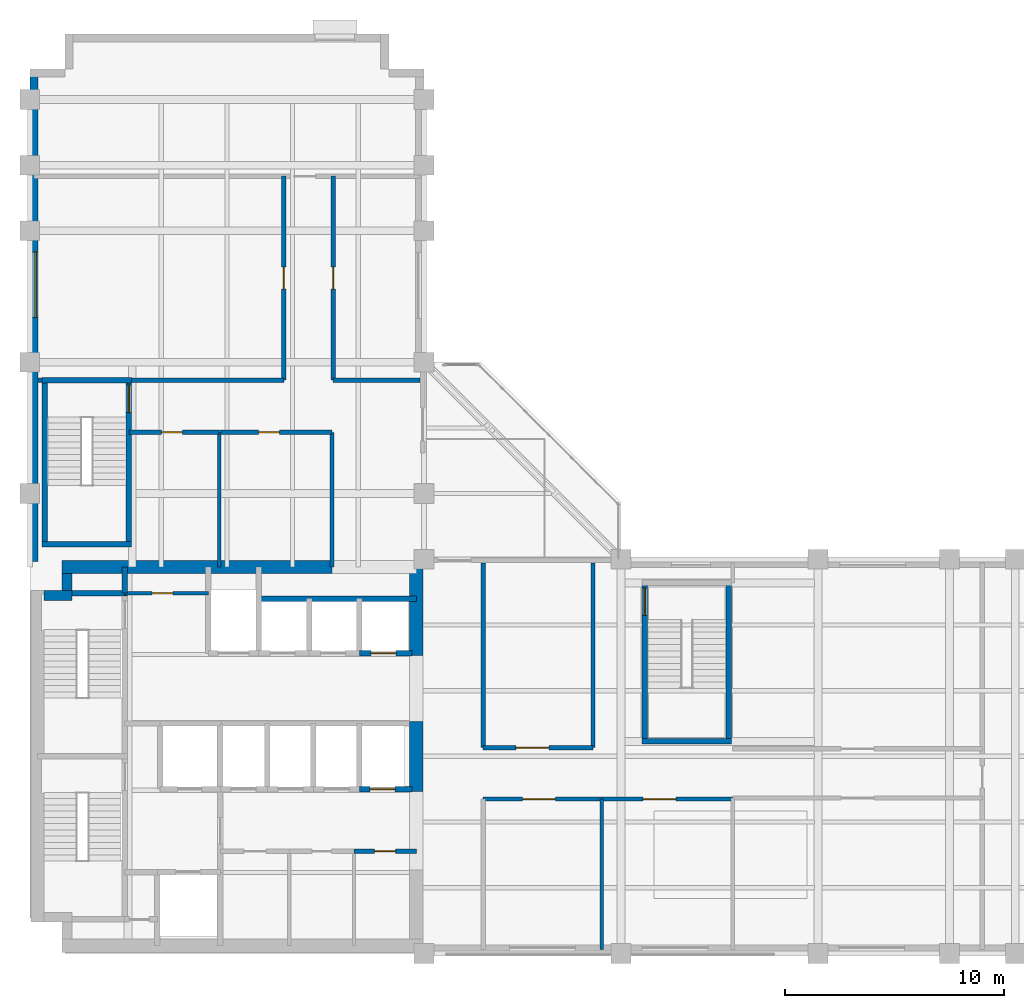
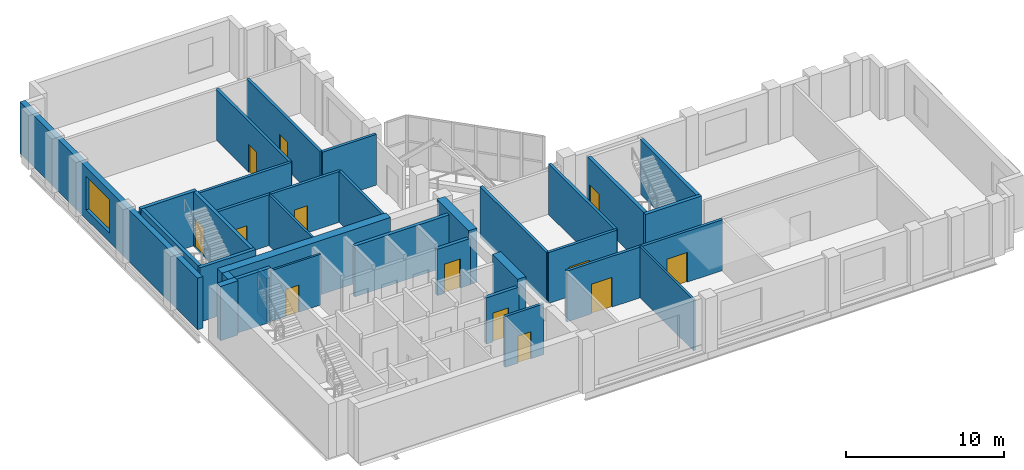
# One storey, part 6 of 9: 34 walls, 13 doors, 1 window, 14 openings.
"""IFC4 building model written with IfcOpenShell, lengths in metres."""

from ifc_helpers import new_model, si_unit, direction, frame, frame_2d, origin, place, context, subcontext, project, spatial, rectangle, extrude, material, layer, layer_set, type_object, element, fill, save


model = new_model("IFC4")

# Units and contexts
model_context = context("Model", 3, precision=1e-05, world=origin(), true_north=direction((0.0, 1.0)))
body_context = subcontext(model_context, "Body", "Model", "MODEL_VIEW")
ifc_project = project(units=[si_unit("LENGTHUNIT", "METRE"), si_unit("AREAUNIT", "SQUARE_METRE"), si_unit("VOLUMEUNIT", "CUBIC_METRE"), si_unit("PLANEANGLEUNIT", "RADIAN"), si_unit("MASSUNIT", "GRAM", prefix="KILO")], contexts=[model_context])

# Site, building, storey
site_placement = place(None, origin())
site = spatial("IfcSite", under=ifc_project, at=site_placement, CompositionType="ELEMENT")
building_placement = place(site_placement, origin())
building = spatial("IfcBuilding", under=site, at=building_placement, Name="Mawjdan Bourse Tower", CompositionType="ELEMENT")
storey_placement = place(building_placement, frame((0.0, 0.0, 160.199951171875)))
storey = spatial("IfcBuildingStorey", under=building, at=storey_placement, Name="L38", CompositionType="ELEMENT", Elevation=160.199951171875)

# Wall, opening, window
ifc_material_1 = material(Name="Brick Masonry Terracotta Red", Category="masonry")
ifc_layer_1 = layer(ifc_material_1, 0.3798828125)
ifc_layer_set_1 = layer_set([ifc_layer_1], Name="Brick Masonry Terracotta Red")
wall_type_1 = type_object("IfcWallType", Name="WL-BRK-RED-380", PredefinedType="STANDARD", material=ifc_layer_set_1)
wall_1_placement = place(storey_placement, frame((6.18994140625, 43.39990234375, 0.0), z_axis=(0.0, 0.0, 1.0), x_axis=(0.0, -1.0, 0.0)))
wall_1 = element("IfcWall", 1, at=wall_1_placement, inside=storey, type_object=wall_type_1, Name="L38 Exterior Brick Wall 14", PredefinedType="STANDARD", context=body_context, shape_type="SweptSolid", body=[
    extrude(rectangle(XDim=22.5, YDim=0.3798828125, at=frame_2d((11.25, 0.0))), origin(), (0.0, 0.0, 1.0), 4.0),
])
opening_1_placement = place(wall_1_placement, frame((8.3544921875, 0.0, 0.699951171875)))
opening_1 = element("IfcOpeningElement", 2, at=opening_1_placement, cuts=wall_1, Name="Opening W-L38-09", PredefinedType="OPENING", context=body_context, shape_type="SweptSolid", body=[
    extrude(rectangle(XDim=3.0, YDim=2.60009765625, at=frame_2d((1.5, 1.300048828125))), frame((0.0, 0.199951171875, 0.0), z_axis=(0.0, -1.0, 0.0), x_axis=(1.0, 0.0, 0.0)), (0.0, 0.0, 1.0), 0.39990234375),
])
ifc_material_2 = material(Name="Solar-Control Clear Double Glazing", Category="glass")
window_type = type_object("IfcWindowType", Name="WN-SKY-3000", PartitioningType="SINGLE_PANEL", PredefinedType="WINDOW", material=ifc_material_2)
window_placement = place(opening_1_placement, origin())
window = element("IfcWindow", 3, at=window_placement, inside=storey, type_object=window_type, Name="L38 Deep-Set Masonry Window W-L38-09", OverallHeight=2.60009765625, OverallWidth=3.0, PartitioningType="SINGLE_PANEL", PredefinedType="WINDOW", context=body_context, shape_type="SweptSolid", body=[
    extrude(rectangle(XDim=3.0, YDim=2.60009765625, at=frame_2d((1.5, 1.300048828125))), frame((0.0, 0.110107421875, 0.0), z_axis=(0.0, -1.0, 0.0), x_axis=(1.0, 0.0, 0.0)), (0.0, 0.0, 1.0), 0.06005859375),
])
fill(opening_1, window)

# Wall, opening, door
ifc_material_3 = material(Name="Gypsum Fireboard Assembly")
ifc_layer_2 = layer(ifc_material_3, 0.199951171875)
ifc_layer_set_2 = layer_set([ifc_layer_2], Name="Gypsum Fireboard Assembly")
wall_type_2 = type_object("IfcWallType", Name="WL-CMP-200", PredefinedType="PARTITIONING", material=ifc_layer_set_2)
wall_2_placement = place(storey_placement, frame((20.800048828125, 7.659912109375, 0.0), z_axis=(0.0, 0.0, 1.0), x_axis=(1.0, 0.0, 0.0)))
wall_2 = element("IfcWall", 4, at=wall_2_placement, inside=storey, type_object=wall_type_2, Name="L38 Staff Beverage Pantry North Wall", PredefinedType="PARTITIONING", context=body_context, shape_type="SweptSolid", body=[
    extrude(rectangle(XDim=2.849853515625, YDim=0.199951171875, at=frame_2d((1.4248046875, 0.0))), origin(), (0.0, 0.0, 1.0), 3.929931640625),
])
opening_2_placement = place(wall_2_placement, frame((0.949951171875, 0.0, 0.0)))
opening_2 = element("IfcOpeningElement", 5, at=opening_2_placement, cuts=wall_2, Name="Opening D-L38-15", PredefinedType="OPENING", context=body_context, shape_type="SweptSolid", body=[
    extrude(rectangle(XDim=0.949951171875, YDim=2.10009765625, at=frame_2d((0.47509765625, 1.050048828125))), frame((0.0, 0.10986328125, 0.0), z_axis=(0.0, -1.0, 0.0), x_axis=(1.0, 0.0, 0.0)), (0.0, 0.0, 1.0), 0.219970703125),
])
ifc_material_4 = material(Name="Moisture-Resistant Laminate Timber", Category="wood")
door_type_1 = type_object("IfcDoorType", Name="DR-WET-0950", OperationType="NOTDEFINED", PredefinedType="DOOR", material=ifc_material_4)
door_1_placement = place(opening_2_placement, origin())
door_1 = element("IfcDoor", 6, at=door_1_placement, inside=storey, type_object=door_type_1, Name="L38 Staff Beverage Pantry Door D-L38-15", OperationType="SINGLE_SWING_LEFT", OverallHeight=2.10009765625, OverallWidth=0.949951171875, PredefinedType="DOOR", context=body_context, shape_type="SweptSolid", body=[
    extrude(rectangle(XDim=0.949951171875, YDim=2.10009765625, at=frame_2d((0.47509765625, 1.050048828125))), frame((0.0, 0.02490234375, 0.0), z_axis=(0.0, -1.0, 0.0), x_axis=(1.0, 0.0, 0.0)), (0.0, 0.0, 1.0), 0.050048828125),
])
fill(opening_2, door_1)

wall_3_placement = place(storey_placement, frame((26.699951171875, 12.39990234375, 0.0), z_axis=(0.0, 0.0, 1.0), x_axis=(1.0, 0.0, 0.0)))
wall_3 = element("IfcWall", 7, at=wall_3_placement, inside=storey, type_object=wall_type_2, Name="L38 NW Salon South Corridor Wall", PredefinedType="PARTITIONING", context=body_context, shape_type="SweptSolid", body=[
    extrude(rectangle(XDim=5.02001953125, YDim=0.199951171875, at=frame_2d((2.510009765625, 0.0))), origin(), (0.0, 0.0, 1.0), 3.929931640625),
])
opening_3_placement = place(wall_3_placement, frame((1.5, 0.0, 0.0)))
opening_3 = element("IfcOpeningElement", 8, at=opening_3_placement, cuts=wall_3, Name="Opening D-L38-25", PredefinedType="OPENING", context=body_context, shape_type="SweptSolid", body=[
    extrude(rectangle(XDim=1.5, YDim=2.300048828125, at=frame_2d((0.75, 1.14990234375))), frame((0.0, 0.10986328125, 0.0), z_axis=(0.0, -1.0, 0.0), x_axis=(1.0, 0.0, 0.0)), (0.0, 0.0, 1.0), 0.219970703125),
])
ifc_material_5 = material(Name="Acoustic Glazed Timber", Category="wood")
door_type_2 = type_object("IfcDoorType", Name="DR-CNF-1500", OperationType="DOUBLE_DOOR_SINGLE_SWING", PredefinedType="DOOR", material=ifc_material_5)
door_2_placement = place(opening_3_placement, origin())
door_2 = element("IfcDoor", 9, at=door_2_placement, inside=storey, type_object=door_type_2, Name="L38 North-West Salon Corridor Door D-L38-25", OperationType="DOUBLE_DOOR_SINGLE_SWING", OverallHeight=2.300048828125, OverallWidth=1.5, PredefinedType="DOOR", context=body_context, shape_type="SweptSolid", body=[
    extrude(rectangle(XDim=1.5, YDim=2.300048828125, at=frame_2d((0.75, 1.14990234375))), frame((0.0, 0.02490234375, 0.0), z_axis=(0.0, -1.0, 0.0), x_axis=(1.0, 0.0, 0.0)), (0.0, 0.0, 1.0), 0.050048828125),
])
fill(opening_3, door_2)

# Walls
for number, where, z_axis, x_axis, name in (
    (10, (26.699951171875, 12.39990234375, 0.0), (0.0, 0.0, 1.0), (0.0, 1.0, 0.0), "L38 NW Salon West Vestibule Wall"),
    (11, (31.719970703125, 12.39990234375, 0.0), (0.0, 0.0, 1.0), (0.0, 1.0, 0.0), "L38 NW Salon East ST5B Corridor Wall"),
):
    element("IfcWall", number, at=place(storey_placement, frame(where, z_axis=z_axis, x_axis=x_axis)), inside=storey, type_object=wall_type_2, Name=name, PredefinedType="PARTITIONING", context=body_context, shape_type="SweptSolid", body=[
        extrude(rectangle(XDim=8.420166015625, YDim=0.199951171875, at=frame_2d((4.2099609375, 0.0))), origin(), (0.0, 0.0, 1.0), 3.929931640625),
    ])

# Wall, openings, doors
wall_4_placement = place(storey_placement, frame((26.699951171875, 10.050048828125, 0.0), z_axis=(0.0, 0.0, 1.0), x_axis=(1.0, 0.0, 0.0)))
wall_4 = element("IfcWall", 12, at=wall_4_placement, inside=storey, type_object=wall_type_2, Name="L38 Sky Lobby South Band Corridor Wall", PredefinedType="PARTITIONING", context=body_context, shape_type="SweptSolid", body=[
    extrude(rectangle(XDim=11.400146484375, YDim=0.199951171875, at=frame_2d((5.7001953125, 0.0))), origin(), (0.0, 0.0, 1.0), 3.929931640625),
])
opening_4_placement = place(wall_4_placement, frame((1.800048828125, 0.0, 0.0)))
opening_4 = element("IfcOpeningElement", 13, at=opening_4_placement, cuts=wall_4, Name="Opening D-L38-26", PredefinedType="OPENING", context=body_context, shape_type="SweptSolid", body=[
    extrude(rectangle(XDim=1.5, YDim=2.300048828125, at=frame_2d((0.75, 1.14990234375))), frame((0.0, 0.10986328125, 0.0), z_axis=(0.0, -1.0, 0.0), x_axis=(1.0, 0.0, 0.0)), (0.0, 0.0, 1.0), 0.219970703125),
])
opening_5_placement = place(wall_4_placement, frame((7.300048828125, 0.0, 0.0)))
opening_5 = element("IfcOpeningElement", 14, at=opening_5_placement, cuts=wall_4, Name="Opening D-L38-27", PredefinedType="OPENING", context=body_context, shape_type="SweptSolid", body=[
    extrude(rectangle(XDim=1.5, YDim=2.300048828125, at=frame_2d((0.75, 1.14990234375))), frame((0.0, 0.10986328125, 0.0), z_axis=(0.0, -1.0, 0.0), x_axis=(1.0, 0.0, 0.0)), (0.0, 0.0, 1.0), 0.219970703125),
])
door_3_placement = place(opening_4_placement, origin())
door_3 = element("IfcDoor", 15, at=door_3_placement, inside=storey, type_object=door_type_2, Name="L38 Sky Lobby Corridor Door D-L38-26", OperationType="DOUBLE_DOOR_SINGLE_SWING", OverallHeight=2.300048828125, OverallWidth=1.5, PredefinedType="DOOR", context=body_context, shape_type="SweptSolid", body=[
    extrude(rectangle(XDim=1.5, YDim=2.300048828125, at=frame_2d((0.75, 1.14990234375))), frame((0.0, 0.02490234375, 0.0), z_axis=(0.0, -1.0, 0.0), x_axis=(1.0, 0.0, 0.0)), (0.0, 0.0, 1.0), 0.050048828125),
])
fill(opening_4, door_3)
door_4_placement = place(opening_5_placement, origin())
door_4 = element("IfcDoor", 16, at=door_4_placement, inside=storey, type_object=door_type_2, Name="L38 Sovereign Lounge Corridor Door D-L38-27", OperationType="DOUBLE_DOOR_SINGLE_SWING", OverallHeight=2.300048828125, OverallWidth=1.5, PredefinedType="DOOR", context=body_context, shape_type="SweptSolid", body=[
    extrude(rectangle(XDim=1.5, YDim=2.300048828125, at=frame_2d((0.75, 1.14990234375))), frame((0.0, 0.02490234375, 0.0), z_axis=(0.0, -1.0, 0.0), x_axis=(1.0, 0.0, 0.0)), (0.0, 0.0, 1.0), 0.050048828125),
])
fill(opening_5, door_4)

# Wall, opening, door
wall_5_placement = place(storey_placement, frame((10.52001953125, 26.800048828125, 0.0), z_axis=(0.0, 0.0, 1.0), x_axis=(1.0, 0.0, 0.0)))
wall_5 = element("IfcWall", 17, at=wall_5_placement, inside=storey, type_object=wall_type_2, Name="L38 Wing WC North Wall", PredefinedType="PARTITIONING", context=body_context, shape_type="SweptSolid", body=[
    extrude(rectangle(XDim=4.1298828125, YDim=0.199951171875, at=frame_2d((2.06494140625, 0.0))), origin(), (0.0, 0.0, 1.0), 3.929931640625),
])
opening_6_placement = place(wall_5_placement, frame((1.5, 0.0, 0.0)))
opening_6 = element("IfcOpeningElement", 18, at=opening_6_placement, cuts=wall_5, Name="Opening D-L38-31", PredefinedType="OPENING", context=body_context, shape_type="SweptSolid", body=[
    extrude(rectangle(XDim=0.949951171875, YDim=2.10009765625, at=frame_2d((0.47509765625, 1.050048828125))), frame((0.0, 0.10986328125, 0.0), z_axis=(0.0, -1.0, 0.0), x_axis=(1.0, 0.0, 0.0)), (0.0, 0.0, 1.0), 0.219970703125),
])
door_5_placement = place(opening_6_placement, origin())
door_5 = element("IfcDoor", 19, at=door_5_placement, inside=storey, type_object=door_type_1, Name="L38 Wing Accessible WC Door D-L38-31", OperationType="SINGLE_SWING_RIGHT", OverallHeight=2.10009765625, OverallWidth=0.949951171875, PredefinedType="DOOR", context=body_context, shape_type="SweptSolid", body=[
    extrude(rectangle(XDim=0.949951171875, YDim=2.10009765625, at=frame_2d((0.47509765625, 1.050048828125))), frame((0.0, 0.02490234375, 0.0), z_axis=(0.0, -1.0, 0.0), x_axis=(1.0, 0.0, 0.0)), (0.0, 0.0, 1.0), 0.050048828125),
])
fill(opening_6, door_5)

wall_6_placement = place(storey_placement, frame((14.64990234375, 26.800048828125, 0.0), z_axis=(0.0, 0.0, 1.0), x_axis=(1.0, 0.0, 0.0)))
wall_6 = element("IfcWall", 20, at=wall_6_placement, inside=storey, type_object=wall_type_2, Name="L38 Wing Restroom North Wall", PredefinedType="PARTITIONING", context=body_context, shape_type="SweptSolid", body=[
    extrude(rectangle(XDim=5.150146484375, YDim=0.199951171875, at=frame_2d((2.5751953125, 0.0))), origin(), (0.0, 0.0, 1.0), 3.929931640625),
])
opening_7_placement = place(wall_6_placement, frame((1.800048828125, 0.0, 0.0)))
opening_7 = element("IfcOpeningElement", 21, at=opening_7_placement, cuts=wall_6, Name="Opening D-L38-32", PredefinedType="OPENING", context=body_context, shape_type="SweptSolid", body=[
    extrude(rectangle(XDim=0.949951171875, YDim=2.10009765625, at=frame_2d((0.47509765625, 1.050048828125))), frame((0.0, 0.10986328125, 0.0), z_axis=(0.0, -1.0, 0.0), x_axis=(1.0, 0.0, 0.0)), (0.0, 0.0, 1.0), 0.219970703125),
])
door_6_placement = place(opening_7_placement, origin())
door_6 = element("IfcDoor", 22, at=door_6_placement, inside=storey, type_object=door_type_1, Name="L38 Wing Restroom Door D-L38-32", OperationType="SINGLE_SWING_LEFT", OverallHeight=2.10009765625, OverallWidth=0.949951171875, PredefinedType="DOOR", context=body_context, shape_type="SweptSolid", body=[
    extrude(rectangle(XDim=0.949951171875, YDim=2.10009765625, at=frame_2d((0.47509765625, 1.050048828125))), frame((0.0, 0.02490234375, 0.0), z_axis=(0.0, -1.0, 0.0), x_axis=(1.0, 0.0, 0.0)), (0.0, 0.0, 1.0), 0.050048828125),
])
fill(opening_7, door_6)

# Walls
wall_7_placement = place(storey_placement, frame((19.800048828125, 20.64990234375, 0.0), z_axis=(0.0, 0.0, 1.0), x_axis=(0.0, 1.0, 0.0)))
element("IfcWall", 23, at=wall_7_placement, inside=storey, type_object=wall_type_2, Name="L38 Wing Restroom East Wall", PredefinedType="PARTITIONING", context=body_context, shape_type="SweptSolid", body=[
    extrude(rectangle(XDim=6.150146484375, YDim=0.199951171875, at=frame_2d((3.0751953125, 0.0))), origin(), (0.0, 0.0, 1.0), 3.929931640625),
])
wall_8_placement = place(storey_placement, frame((6.3798828125, 29.179931640625, 0.0), z_axis=(0.0, 0.0, 1.0), x_axis=(1.0, 0.0, 0.0)))
element("IfcWall", 24, at=wall_8_placement, inside=storey, type_object=wall_type_2, Name="L38 North West Band ST3 West Return", PredefinedType="PARTITIONING", context=body_context, shape_type="SweptSolid", body=[
    extrude(rectangle(XDim=0.175048828125, YDim=0.199951171875, at=frame_2d((0.08740234375, 0.0))), origin(), (0.0, 0.0, 1.0), 3.929931640625),
])
wall_9_placement = place(storey_placement, frame((10.6298828125, 29.179931640625, 0.0), z_axis=(0.0, 0.0, 1.0), x_axis=(1.0, 0.0, 0.0)))
element("IfcWall", 25, at=wall_9_placement, inside=storey, type_object=wall_type_2, Name="L38 North West Band South Wall", PredefinedType="PARTITIONING", context=body_context, shape_type="SweptSolid", body=[
    extrude(rectangle(XDim=6.97021484375, YDim=0.199951171875, at=frame_2d((3.485107421875, 0.0))), origin(), (0.0, 0.0, 1.0), 3.929931640625),
])
wall_10_placement = place(storey_placement, frame((19.85009765625, 29.179931640625, 0.0), z_axis=(0.0, 0.0, 1.0), x_axis=(1.0, 0.0, 0.0)))
element("IfcWall", 26, at=wall_10_placement, inside=storey, type_object=wall_type_2, Name="L38 North East Band South Wall", PredefinedType="PARTITIONING", context=body_context, shape_type="SweptSolid", body=[
    extrude(rectangle(XDim=3.969970703125, YDim=0.199951171875, at=frame_2d((1.98486328125, 0.0))), origin(), (0.0, 0.0, 1.0), 3.929931640625),
])

# Wall, opening, door
wall_11_placement = place(storey_placement, frame((17.60009765625, 29.179931640625, 0.0), z_axis=(0.0, 0.0, 1.0), x_axis=(0.0, 1.0, 0.0)))
wall_11 = element("IfcWall", 27, at=wall_11_placement, inside=storey, type_object=wall_type_2, Name="L38 Institutional Reception Salon Corridor Wall", PredefinedType="PARTITIONING", context=body_context, shape_type="SweptSolid", body=[
    extrude(rectangle(XDim=9.320068359375, YDim=0.199951171875, at=frame_2d((4.66015625, 0.0))), origin(), (0.0, 0.0, 1.0), 3.929931640625),
])
opening_8_placement = place(wall_11_placement, frame((4.159912109375, 0.0, 0.0)))
opening_8 = element("IfcOpeningElement", 28, at=opening_8_placement, cuts=wall_11, Name="Opening D-L38-33", PredefinedType="OPENING", context=body_context, shape_type="SweptSolid", body=[
    extrude(rectangle(XDim=1.0, YDim=2.14990234375, at=frame_2d((0.5, 1.074951171875))), frame((0.0, 0.10986328125, 0.0), z_axis=(0.0, -1.0, 0.0), x_axis=(1.0, 0.0, 0.0)), (0.0, 0.0, 1.0), 0.219970703125),
])
ifc_material_6 = material(Name="Hardwood Acoustic Leaf", Category="wood")
door_type_3 = type_object("IfcDoorType", Name="DR-OFC-1000", OperationType="NOTDEFINED", PredefinedType="DOOR", material=ifc_material_6)
door_7_placement = place(opening_8_placement, origin())
door_7 = element("IfcDoor", 29, at=door_7_placement, inside=storey, type_object=door_type_3, Name="L38 Institutional Reception Salon Door D-L38-33", OperationType="SINGLE_SWING_RIGHT", OverallHeight=2.14990234375, OverallWidth=1.0, PredefinedType="DOOR", context=body_context, shape_type="SweptSolid", body=[
    extrude(rectangle(XDim=1.0, YDim=2.14990234375, at=frame_2d((0.5, 1.074951171875))), frame((0.0, 0.02490234375, 0.0), z_axis=(0.0, -1.0, 0.0), x_axis=(1.0, 0.0, 0.0)), (0.0, 0.0, 1.0), 0.050048828125),
])
fill(opening_8, door_7)

wall_12_placement = place(storey_placement, frame((19.85009765625, 29.179931640625, 0.0), z_axis=(0.0, 0.0, 1.0), x_axis=(0.0, 1.0, 0.0)))
wall_12 = element("IfcWall", 30, at=wall_12_placement, inside=storey, type_object=wall_type_2, Name="L38 Executive Office Corridor Wall", PredefinedType="PARTITIONING", context=body_context, shape_type="SweptSolid", body=[
    extrude(rectangle(XDim=9.320068359375, YDim=0.199951171875, at=frame_2d((4.66015625, 0.0))), origin(), (0.0, 0.0, 1.0), 3.929931640625),
])
opening_9_placement = place(wall_12_placement, frame((4.159912109375, 0.0, 0.0)))
opening_9 = element("IfcOpeningElement", 31, at=opening_9_placement, cuts=wall_12, Name="Opening D-L38-34", PredefinedType="OPENING", context=body_context, shape_type="SweptSolid", body=[
    extrude(rectangle(XDim=1.0, YDim=2.14990234375, at=frame_2d((0.5, 1.074951171875))), frame((0.0, 0.10986328125, 0.0), z_axis=(0.0, -1.0, 0.0), x_axis=(1.0, 0.0, 0.0)), (0.0, 0.0, 1.0), 0.219970703125),
])
door_8_placement = place(opening_9_placement, origin())
door_8 = element("IfcDoor", 32, at=door_8_placement, inside=storey, type_object=door_type_3, Name="L38 Executive Office Door D-L38-34", OperationType="SINGLE_SWING_LEFT", OverallHeight=2.14990234375, OverallWidth=1.0, PredefinedType="DOOR", context=body_context, shape_type="SweptSolid", body=[
    extrude(rectangle(XDim=1.0, YDim=2.14990234375, at=frame_2d((0.5, 1.074951171875))), frame((0.0, 0.02490234375, 0.0), z_axis=(0.0, -1.0, 0.0), x_axis=(1.0, 0.0, 0.0)), (0.0, 0.0, 1.0), 0.050048828125),
])
fill(opening_9, door_8)

# Walls
ifc_material_7 = material(Name="Concrete C60/75", Category="concrete")
ifc_layer_3 = layer(ifc_material_7, 0.449951171875)
ifc_layer_set_3 = layer_set([ifc_layer_3], Name="Concrete C60/75")
wall_type_3 = type_object("IfcWallType", Name="WL-CORE-450", PredefinedType="SHEAR", material=ifc_layer_set_3)
wall_13_placement = place(storey_placement, frame((6.64990234375, 19.35009765625, 0.0), z_axis=(0.0, 0.0, 1.0), x_axis=(1.0, 0.0, 0.0)))
element("IfcWall", 33, at=wall_13_placement, inside=storey, type_object=wall_type_3, Name="L38 Rear Core Shear Wall NW-X", PredefinedType="SHEAR", context=body_context, shape_type="SweptSolid", body=[
    extrude(rectangle(XDim=1.275146484375, YDim=0.449951171875, at=frame_2d((0.6376953125, 0.0))), origin(), (0.0, 0.0, 1.0), 4.199951171875),
])
wall_14_placement = place(storey_placement, frame((7.699951171875, 19.574951171875, 0.0), z_axis=(0.0, 0.0, 1.0), x_axis=(0.0, 1.0, 0.0)))
element("IfcWall", 34, at=wall_14_placement, inside=storey, type_object=wall_type_3, Name="L38 Rear Core Shear Wall NW-Y", PredefinedType="SHEAR", context=body_context, shape_type="SweptSolid", body=[
    extrude(rectangle(XDim=0.775146484375, YDim=0.449951171875, at=frame_2d((0.3876953125, 0.0))), origin(), (0.0, 0.0, 1.0), 4.199951171875),
])
ifc_material_8 = material(Name="Concrete C70/85", Category="concrete")
ifc_layer_4 = layer(ifc_material_8, 0.60009765625)
ifc_layer_set_4 = layer_set([ifc_layer_4], Name="Concrete C70/85")
wall_type_4 = type_object("IfcWallType", Name="WL-CORE-600", PredefinedType="SHEAR", material=ifc_layer_set_4)
wall_15_placement = place(storey_placement, frame((7.47509765625, 20.64990234375, 0.0), z_axis=(0.0, 0.0, 1.0), x_axis=(1.0, 0.0, 0.0)))
element("IfcWall", 35, at=wall_15_placement, inside=storey, type_object=wall_type_4, Name="L38 Rear Core Shear Wall N", PredefinedType="SHEAR", context=body_context, shape_type="SweptSolid", body=[
    extrude(rectangle(XDim=12.324951171875, YDim=0.60009765625, at=frame_2d((6.16259765625, 0.0))), origin(), (0.0, 0.0, 1.0), 4.199951171875),
])
wall_16_placement = place(storey_placement, frame((23.64990234375, 10.39990234375, 0.0), z_axis=(0.0, 0.0, 1.0), x_axis=(0.0, 1.0, 0.0)))
element("IfcWall", 36, at=wall_16_placement, inside=storey, type_object=wall_type_4, Name="L38 Rear Core Shear Wall E2", PredefinedType="SHEAR", context=body_context, shape_type="SweptSolid", body=[
    extrude(rectangle(XDim=3.2001953125, YDim=0.60009765625, at=frame_2d((1.60009765625, 0.0))), origin(), (0.0, 0.0, 1.0), 4.199951171875),
])
wall_17_placement = place(storey_placement, frame((23.64990234375, 16.60009765625, 0.0), z_axis=(0.0, 0.0, 1.0), x_axis=(0.0, 1.0, 0.0)))
element("IfcWall", 37, at=wall_17_placement, inside=storey, type_object=wall_type_4, Name="L38 Rear Core Shear Wall E3", PredefinedType="SHEAR", context=body_context, shape_type="SweptSolid", body=[
    extrude(rectangle(XDim=4.0498046875, YDim=0.60009765625, at=frame_2d((2.02490234375, 0.0))), origin(), (0.0, 0.0, 1.0), 4.199951171875),
])

# Wall, opening, door
ifc_material_9 = material(Name="Gypsum Acoustic Partition")
ifc_layer_5 = layer(ifc_material_9, 0.14990234375)
ifc_layer_set_5 = layer_set([ifc_layer_5], Name="Gypsum Acoustic Partition")
wall_type_5 = type_object("IfcWallType", Name="WL-PRT-150", PredefinedType="PARTITIONING", material=ifc_layer_set_5)
wall_18_placement = place(storey_placement, frame((10.330078125, 19.449951171875, 0.0), z_axis=(0.0, 0.0, 1.0), x_axis=(1.0, 0.0, 0.0)))
wall_18 = element("IfcWall", 38, at=wall_18_placement, inside=storey, type_object=wall_type_5, Name="L38 Housekeeping South Wall", PredefinedType="PARTITIONING", context=body_context, shape_type="SweptSolid", body=[
    extrude(rectangle(XDim=3.81982421875, YDim=0.14990234375, at=frame_2d((1.909912109375, 0.0))), origin(), (0.0, 0.0, 1.0), 3.929931640625),
])
opening_10_placement = place(wall_18_placement, frame((1.25, 0.0, 0.0)))
opening_10 = element("IfcOpeningElement", 39, at=opening_10_placement, cuts=wall_18, Name="Opening D-L38-20", PredefinedType="OPENING", context=body_context, shape_type="SweptSolid", body=[
    extrude(rectangle(XDim=0.949951171875, YDim=2.10009765625, at=frame_2d((0.47509765625, 1.050048828125))), frame((0.0, 0.0849609375, 0.0), z_axis=(0.0, -1.0, 0.0), x_axis=(1.0, 0.0, 0.0)), (0.0, 0.0, 1.0), 0.169921875),
])
door_9_placement = place(opening_10_placement, origin())
door_9 = element("IfcDoor", 40, at=door_9_placement, inside=storey, type_object=door_type_1, Name="L38 Housekeeping Closet Door D-L38-20", OperationType="SINGLE_SWING_RIGHT", OverallHeight=2.10009765625, OverallWidth=0.949951171875, PredefinedType="DOOR", context=body_context, shape_type="SweptSolid", body=[
    extrude(rectangle(XDim=0.949951171875, YDim=2.10009765625, at=frame_2d((0.47509765625, 1.050048828125))), frame((0.0, 0.02490234375, 0.0), z_axis=(0.0, -1.0, 0.0), x_axis=(1.0, 0.0, 0.0)), (0.0, 0.0, 1.0), 0.050048828125),
])
fill(opening_10, door_9)

# Walls
wall_19_placement = place(storey_placement, frame((32.1201171875, 3.179931640625, 0.0), z_axis=(0.0, 0.0, 1.0), x_axis=(0.0, 1.0, 0.0)))
element("IfcWall", 41, at=wall_19_placement, inside=storey, type_object=wall_type_5, Name="L38 Sky Lobby / Lounge Split", PredefinedType="PARTITIONING", context=body_context, shape_type="SweptSolid", body=[
    extrude(rectangle(XDim=6.8701171875, YDim=0.14990234375, at=frame_2d((3.43505859375, 0.0))), origin(), (0.0, 0.0, 1.0), 3.929931640625),
])
wall_20_placement = place(storey_placement, frame((14.64990234375, 20.64990234375, 0.0), z_axis=(0.0, 0.0, 1.0), x_axis=(0.0, 1.0, 0.0)))
element("IfcWall", 42, at=wall_20_placement, inside=storey, type_object=wall_type_5, Name="L38 Wing WC Split Wall", PredefinedType="PARTITIONING", context=body_context, shape_type="SweptSolid", body=[
    extrude(rectangle(XDim=6.150146484375, YDim=0.14990234375, at=frame_2d((3.0751953125, 0.0))), origin(), (0.0, 0.0, 1.0), 3.929931640625),
])
ifc_material_10 = material(Name="Concrete C50/60", Category="concrete")
ifc_layer_6 = layer(ifc_material_10, 0.25)
ifc_layer_set_6 = layer_set([ifc_layer_6], Name="Concrete C50/60")
wall_type_6 = type_object("IfcWallType", Name="WL-SHFT-250", PredefinedType="PARTITIONING", material=ifc_layer_set_6)
wall_21_placement = place(storey_placement, frame((10.330078125, 19.449951171875, 0.0), z_axis=(0.0, 0.0, 1.0), x_axis=(0.0, 1.0, 0.0)))
element("IfcWall", 43, at=wall_21_placement, inside=storey, type_object=wall_type_6, Name="L38 NW Riser East Wall", PredefinedType="PARTITIONING", context=body_context, shape_type="SweptSolid", body=[
    extrude(rectangle(XDim=1.199951171875, YDim=0.25, at=frame_2d((0.60009765625, 0.0))), origin(), (0.0, 0.0, 1.0), 3.373046875),
])

# Wall, opening, door
wall_22_placement = place(storey_placement, frame((21.050048828125, 16.699951171875, 0.0), z_axis=(0.0, 0.0, 1.0), x_axis=(1.0, 0.0, 0.0)))
wall_22 = element("IfcWall", 44, at=wall_22_placement, inside=storey, type_object=wall_type_6, Name="L38 PH-03 Front Wall", PredefinedType="PARTITIONING", context=body_context, shape_type="SweptSolid", body=[
    extrude(rectangle(XDim=2.39990234375, YDim=0.25, at=frame_2d((1.199951171875, 0.0))), origin(), (0.0, 0.0, 1.0), 3.5830078125),
])
opening_11_placement = place(wall_22_placement, frame((0.52001953125, 0.0, 0.0)))
opening_11 = element("IfcOpeningElement", 45, at=opening_11_placement, cuts=wall_22, Name="Opening LD-L38-12", PredefinedType="OPENING", context=body_context, shape_type="SweptSolid", body=[
    extrude(rectangle(XDim=1.14990234375, YDim=2.25, at=frame_2d((0.574951171875, 1.125))), frame((0.0, 0.135009765625, 0.0), z_axis=(0.0, -1.0, 0.0), x_axis=(1.0, 0.0, 0.0)), (0.0, 0.0, 1.0), 0.27001953125),
])
ifc_material_11 = material(Name="Brushed Stainless Steel", Category="steel")
door_type_4 = type_object("IfcDoorType", Name="LD-PAS-1150", OperationType="DOUBLE_DOOR_SLIDING", PredefinedType="DOOR", material=ifc_material_11)
door_10_placement = place(opening_11_placement, origin())
door_10 = element("IfcDoor", 46, at=door_10_placement, inside=storey, type_object=door_type_4, Name="L38 Lift PH-03 Landing Door LD-L38-12", OperationType="DOUBLE_DOOR_SLIDING", OverallHeight=2.25, OverallWidth=1.14990234375, PredefinedType="DOOR", context=body_context, shape_type="SweptSolid", body=[
    extrude(rectangle(XDim=1.14990234375, YDim=2.25, at=frame_2d((0.574951171875, 1.125))), frame((0.0, 0.02490234375, 0.0), z_axis=(0.0, -1.0, 0.0), x_axis=(1.0, 0.0, 0.0)), (0.0, 0.0, 1.0), 0.050048828125),
])
fill(opening_11, door_10)

# Wall
wall_23_placement = place(storey_placement, frame((16.449951171875, 19.199951171875, 0.0), z_axis=(0.0, 0.0, 1.0), x_axis=(1.0, 0.0, 0.0)))
element("IfcWall", 47, at=wall_23_placement, inside=storey, type_object=wall_type_6, Name="L38 PH Bank North Shaft Back Wall", PredefinedType="PARTITIONING", context=body_context, shape_type="SweptSolid", body=[
    extrude(rectangle(XDim=7.199951171875, YDim=0.25, at=frame_2d((3.60009765625, 0.0))), origin(), (0.0, 0.0, 1.0), 3.929931640625),
])

# Wall, opening, door
wall_24_placement = place(storey_placement, frame((21.050048828125, 10.5, 0.0), z_axis=(0.0, 0.0, 1.0), x_axis=(1.0, 0.0, 0.0)))
wall_24 = element("IfcWall", 48, at=wall_24_placement, inside=storey, type_object=wall_type_6, Name="L38 PM-04 Front Wall", PredefinedType="PARTITIONING", context=body_context, shape_type="SweptSolid", body=[
    extrude(rectangle(XDim=2.39990234375, YDim=0.25, at=frame_2d((1.199951171875, 0.0))), origin(), (0.0, 0.0, 1.0), 3.5830078125),
])
opening_12_placement = place(wall_24_placement, frame((0.47998046875, 0.0, 0.0)))
opening_12 = element("IfcOpeningElement", 49, at=opening_12_placement, cuts=wall_24, Name="Opening LD-L38-19", PredefinedType="OPENING", context=body_context, shape_type="SweptSolid", body=[
    extrude(rectangle(XDim=1.14990234375, YDim=2.25, at=frame_2d((0.574951171875, 1.125))), frame((0.0, 0.135009765625, 0.0), z_axis=(0.0, -1.0, 0.0), x_axis=(1.0, 0.0, 0.0)), (0.0, 0.0, 1.0), 0.27001953125),
])
door_11_placement = place(opening_12_placement, origin())
door_11 = element("IfcDoor", 50, at=door_11_placement, inside=storey, type_object=door_type_4, Name="L38 Lift PM-04 Landing Door LD-L38-19", OperationType="DOUBLE_DOOR_SLIDING", OverallHeight=2.25, OverallWidth=1.14990234375, PredefinedType="DOOR", context=body_context, shape_type="SweptSolid", body=[
    extrude(rectangle(XDim=1.14990234375, YDim=2.25, at=frame_2d((0.574951171875, 1.125))), frame((0.0, 0.02490234375, 0.0), z_axis=(0.0, -1.0, 0.0), x_axis=(1.0, 0.0, 0.0)), (0.0, 0.0, 1.0), 0.050048828125),
])
fill(opening_12, door_11)

# Walls
ifc_layer_7 = layer(ifc_material_10, 0.25)
ifc_layer_set_7 = layer_set([ifc_layer_7], Name="Concrete C50/60")
wall_type_7 = type_object("IfcWallType", Name="WL-STRW-250", PredefinedType="SHEAR", material=ifc_layer_set_7)
wall_25_placement = place(storey_placement, frame((7.699951171875, 19.449951171875, 0.0), z_axis=(0.0, 0.0, 1.0), x_axis=(1.0, 0.0, 0.0)))
element("IfcWall", 51, at=wall_25_placement, inside=storey, type_object=wall_type_7, Name="L38 Stairwell ST2 North Shaft Wall", PredefinedType="SHEAR", context=body_context, shape_type="SweptSolid", body=[
    extrude(rectangle(XDim=2.755126953125, YDim=0.25, at=frame_2d((1.37744140625, 0.0))), origin(), (0.0, 0.0, 1.0), 4.199951171875),
])
wall_26_placement = place(storey_placement, frame((33.955078125, 12.679931640625, 0.0), z_axis=(0.0, 0.0, 1.0), x_axis=(1.0, 0.0, 0.0)))
element("IfcWall", 52, at=wall_26_placement, inside=storey, type_object=wall_type_7, Name="L38 ST5B South Shaft Wall", PredefinedType="SHEAR", context=body_context, shape_type="SweptSolid", body=[
    extrude(rectangle(XDim=4.08984375, YDim=0.25, at=frame_2d((2.044921875, 0.0))), origin(), (0.0, 0.0, 1.0), 4.199951171875),
])
wall_27_placement = place(storey_placement, frame((37.919921875, 12.679931640625, 0.0), z_axis=(0.0, 0.0, 1.0), x_axis=(0.0, 1.0, 0.0)))
element("IfcWall", 53, at=wall_27_placement, inside=storey, type_object=wall_type_7, Name="L38 ST5B East Shaft Wall", PredefinedType="SHEAR", context=body_context, shape_type="SweptSolid", body=[
    extrude(rectangle(XDim=7.239990234375, YDim=0.25, at=frame_2d((3.6201171875, 0.0))), origin(), (0.0, 0.0, 1.0), 4.199951171875),
])

# Wall, opening, door
wall_28_placement = place(storey_placement, frame((34.080078125, 12.679931640625, 0.0), z_axis=(0.0, 0.0, 1.0), x_axis=(0.0, 1.0, 0.0)))
wall_28 = element("IfcWall", 54, at=wall_28_placement, inside=storey, type_object=wall_type_7, Name="L38 ST5B West Shaft Wall", PredefinedType="SHEAR", context=body_context, shape_type="SweptSolid", body=[
    extrude(rectangle(XDim=7.239990234375, YDim=0.25, at=frame_2d((3.6201171875, 0.0))), origin(), (0.0, 0.0, 1.0), 4.199951171875),
])
opening_13_placement = place(wall_28_placement, frame((5.760009765625, 0.0, 0.0)))
opening_13 = element("IfcOpeningElement", 55, at=opening_13_placement, cuts=wall_28, Name="Opening SD-L38-21", PredefinedType="OPENING", context=body_context, shape_type="SweptSolid", body=[
    extrude(rectangle(XDim=1.25, YDim=2.199951171875, at=frame_2d((0.625, 1.10009765625))), frame((0.0, 0.135009765625, 0.0), z_axis=(0.0, -1.0, 0.0), x_axis=(1.0, 0.0, 0.0)), (0.0, 0.0, 1.0), 0.27001953125),
])
ifc_material_12 = material(Name="Fire-Rated Steel Leaf", Category="steel")
door_type_5 = type_object("IfcDoorType", Name="FD-ST-1250", OperationType="NOTDEFINED", PredefinedType="DOOR", material=ifc_material_12)
door_12_placement = place(opening_13_placement, origin())
door_12 = element("IfcDoor", 56, at=door_12_placement, inside=storey, type_object=door_type_5, Name="L38 Stair ST5B Fire Door SD-L38-21", OperationType="SINGLE_SWING_LEFT", OverallHeight=2.199951171875, OverallWidth=1.25, PredefinedType="DOOR", context=body_context, shape_type="SweptSolid", body=[
    extrude(rectangle(XDim=1.25, YDim=2.199951171875, at=frame_2d((0.625, 1.10009765625))), frame((0.0, 0.02490234375, 0.0), z_axis=(0.0, -1.0, 0.0), x_axis=(1.0, 0.0, 0.0)), (0.0, 0.0, 1.0), 0.050048828125),
])
fill(opening_13, door_12)

# Walls
for number, where, z_axis, x_axis, name in (
    (57, (6.554931640625, 21.679931640625, 0.0), (0.0, 0.0, 1.0), (1.0, 0.0, 0.0), "L38 ST3 South Shaft Wall"),
    (58, (6.554931640625, 29.179931640625, 0.0), (0.0, 0.0, 1.0), (1.0, 0.0, 0.0), "L38 ST3 North Shaft Wall"),
):
    element("IfcWall", number, at=place(storey_placement, frame(where, z_axis=z_axis, x_axis=x_axis)), inside=storey, type_object=wall_type_7, Name=name, PredefinedType="SHEAR", context=body_context, shape_type="SweptSolid", body=[
        extrude(rectangle(XDim=4.090087890625, YDim=0.25, at=frame_2d((2.044921875, 0.0))), origin(), (0.0, 0.0, 1.0), 4.199951171875),
    ])
wall_29_placement = place(storey_placement, frame((6.679931640625, 21.679931640625, 0.0), z_axis=(0.0, 0.0, 1.0), x_axis=(0.0, 1.0, 0.0)))
element("IfcWall", 59, at=wall_29_placement, inside=storey, type_object=wall_type_7, Name="L38 ST3 West Shaft Wall", PredefinedType="SHEAR", context=body_context, shape_type="SweptSolid", body=[
    extrude(rectangle(XDim=7.5, YDim=0.25, at=frame_2d((3.75, 0.0))), origin(), (0.0, 0.0, 1.0), 4.199951171875),
])

# Wall, opening, door
wall_30_placement = place(storey_placement, frame((10.52001953125, 21.679931640625, 0.0), z_axis=(0.0, 0.0, 1.0), x_axis=(0.0, 1.0, 0.0)))
wall_30 = element("IfcWall", 60, at=wall_30_placement, inside=storey, type_object=wall_type_7, Name="L38 ST3 East Shaft Wall", PredefinedType="SHEAR", context=body_context, shape_type="SweptSolid", body=[
    extrude(rectangle(XDim=7.5, YDim=0.25, at=frame_2d((3.75, 0.0))), origin(), (0.0, 0.0, 1.0), 4.199951171875),
])
opening_14_placement = place(wall_30_placement, frame((6.02001953125, 0.0, 0.0)))
opening_14 = element("IfcOpeningElement", 61, at=opening_14_placement, cuts=wall_30, Name="Opening SD-L38-22", PredefinedType="OPENING", context=body_context, shape_type="SweptSolid", body=[
    extrude(rectangle(XDim=1.25, YDim=2.199951171875, at=frame_2d((0.625, 1.10009765625))), frame((0.0, 0.135009765625, 0.0), z_axis=(0.0, -1.0, 0.0), x_axis=(1.0, 0.0, 0.0)), (0.0, 0.0, 1.0), 0.27001953125),
])
door_13_placement = place(opening_14_placement, origin())
door_13 = element("IfcDoor", 62, at=door_13_placement, inside=storey, type_object=door_type_5, Name="L38 Stair ST3 Fire Door SD-L38-22", OperationType="SINGLE_SWING_RIGHT", OverallHeight=2.199951171875, OverallWidth=1.25, PredefinedType="DOOR", context=body_context, shape_type="SweptSolid", body=[
    extrude(rectangle(XDim=1.25, YDim=2.199951171875, at=frame_2d((0.625, 1.10009765625))), frame((0.0, 0.02490234375, 0.0), z_axis=(0.0, -1.0, 0.0), x_axis=(1.0, 0.0, 0.0)), (0.0, 0.0, 1.0), 0.050048828125),
])
fill(opening_14, door_13)

save(model, "model.ifc")
